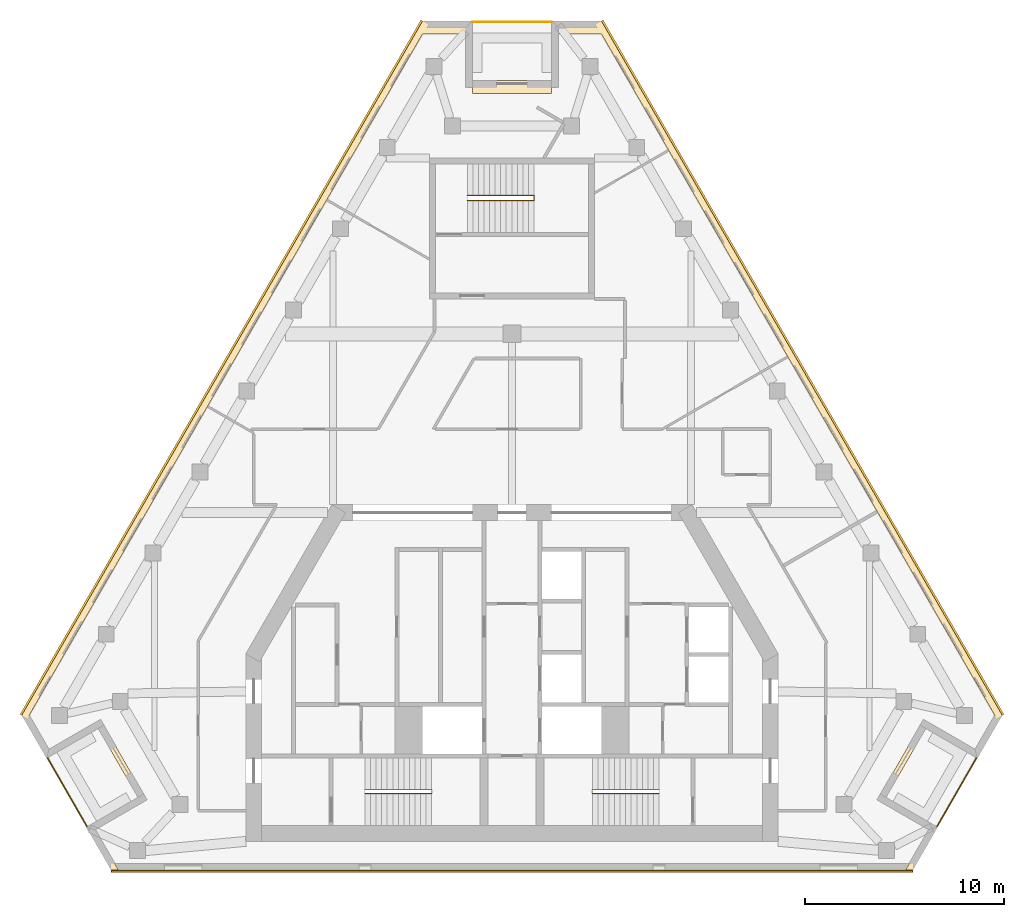
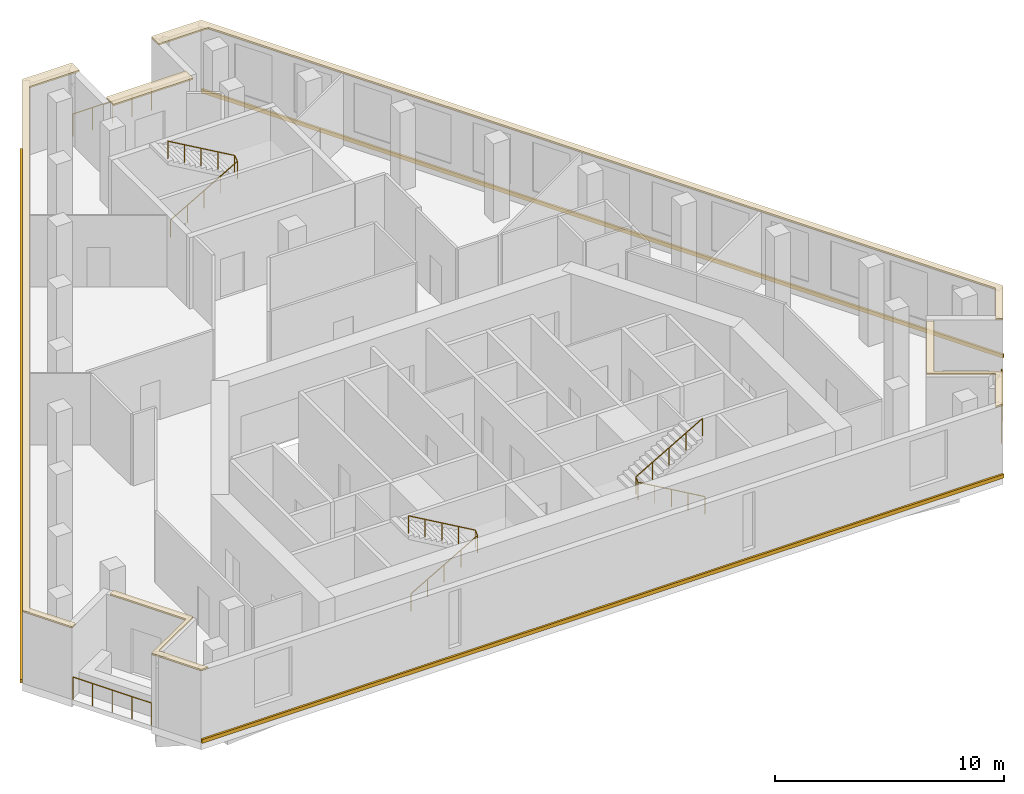
# One storey, part 8 of 8: 8 coverings, 6 railings.
"""IFC4 building model written with IfcOpenShell, lengths in metres."""

import ifcopenshell
import ifcopenshell.guid

model = None  # the IFC model being written
_history = None  # IfcOwnerHistory: only IFC2X3 demands one
_inside = {}  # id of a spatial element -> (the spatial element, [elements in it])
_under = {}  # id of a project, library or spatial element -> (it, [spatial elements below it])
_declared = {}  # id of a project -> (the project, [libraries it declares])
_typed = {}  # id of a type object -> (the type object, [elements of that type])
_made_of = {}  # id of a material, layer set ... -> (it, [elements and type objects made of it])


def new_model(schema):
    """Start an empty IFC model of exactly this schema.

    Asked for "IFC4X3", IfcOpenShell would pick the latest addendum, in which some entities
    have other attributes; the version numbers below select the first issue.
    IFC2X3 requires an IfcOwnerHistory on every rooted entity: one is made here for all.
    """
    global model, _history
    if schema == "IFC4X3":
        model = ifcopenshell.file(schema_version=(4, 3, 0, 0))
    else:
        model = ifcopenshell.file(schema=schema)
    _inside.clear()
    _under.clear()
    _declared.clear()
    _typed.clear()
    _made_of.clear()
    _history = None
    if model.schema == "IFC2X3":
        org = make("IfcOrganization", Name="unknown")
        user = make(
            "IfcPersonAndOrganization",
            ThePerson=make("IfcPerson", FamilyName="unknown"),
            TheOrganization=org,
        )
        app = make(
            "IfcApplication",
            ApplicationDeveloper=org,
            Version="unknown",
            ApplicationFullName="unknown",
            ApplicationIdentifier="unknown",
        )
        _history = make(
            "IfcOwnerHistory",
            OwningUser=user,
            OwningApplication=app,
            ChangeAction="ADDED",
            CreationDate=0,
        )
    return model


def make(cls, **values):
    """One entity of the class cls with the attributes given. An attribute that is None is left unset."""
    return model.create_entity(
        cls, **{name: value for name, value in values.items() if value is not None}
    )


def rooted(cls, **values):
    """An entity with a GlobalId (a new one), such as an element, a storey or a relation."""
    return make(cls, GlobalId=ifcopenshell.guid.new(), OwnerHistory=_history, **values)


def si_unit(unit_type, name, prefix=None):
    """IfcSIUnit, for example si_unit("LENGTHUNIT", "METRE", prefix="MILLI")."""
    return make("IfcSIUnit", UnitType=unit_type, Prefix=prefix, Name=name)


def assignment(units):
    """IfcUnitAssignment: the units of a project."""
    return None if units is None else make("IfcUnitAssignment", Units=units)


def point(xyz):
    """IfcCartesianPoint."""
    return None if xyz is None else make("IfcCartesianPoint", Coordinates=xyz)


def direction(xyz):
    """IfcDirection."""
    return None if xyz is None else make("IfcDirection", DirectionRatios=xyz)


def frame(location, z_axis=None, x_axis=None):
    """IfcAxis2Placement3D, a coordinate frame: its origin and axes. An axis left out is left unset."""
    return make(
        "IfcAxis2Placement3D",
        Location=point(location),
        Axis=direction(z_axis),
        RefDirection=direction(x_axis),
    )


def frame_2d(location, x_axis=None):
    """IfcAxis2Placement2D, a coordinate frame in the plane: its origin and x axis."""
    return make(
        "IfcAxis2Placement2D", Location=point(location), RefDirection=direction(x_axis)
    )


def origin():
    """The frame at (0, 0, 0) with its axes left unset."""
    return frame((0.0, 0.0, 0.0))


def origin_2d():
    """The frame at (0, 0) in the plane with its x axis left unset."""
    return frame_2d((0.0, 0.0))


def place(relative_to, where):
    """IfcLocalPlacement: puts the frame where relative to a parent placement (None: the world)."""
    return make(
        "IfcLocalPlacement", PlacementRelTo=relative_to, RelativePlacement=where
    )


def context(
    kind, dimensions, precision=None, world=None, true_north=None, identifier=None
):
    """IfcGeometricRepresentationContext, for example the 3D "Model" context."""
    return make(
        "IfcGeometricRepresentationContext",
        ContextIdentifier=identifier,
        ContextType=kind,
        CoordinateSpaceDimension=dimensions,
        Precision=precision,
        WorldCoordinateSystem=world,
        TrueNorth=true_north,
    )


def subcontext(parent, identifier, kind, view, scale=None):
    """IfcGeometricRepresentationSubContext, for example "Body" below "Model"."""
    return make(
        "IfcGeometricRepresentationSubContext",
        ContextIdentifier=identifier,
        ContextType=kind,
        ParentContext=parent,
        TargetScale=scale,
        TargetView=view,
    )


def project(units=None, contexts=None):
    """IfcProject with its units and contexts."""
    return rooted(
        "IfcProject",
        Name="project",
        RepresentationContexts=contexts,
        UnitsInContext=assignment(units),
    )


def spatial(cls, under=None, at=None, **own):
    """A site, building, storey or space (cls), placed at a placement, below another one or the project."""
    s = rooted(cls, ObjectPlacement=at, **own)
    if under is not None:
        _under.setdefault(under.id(), (under, []))[1].append(s)
    return s


def polyline(points):
    """IfcPolyline through the points."""
    return make("IfcPolyline", Points=[point(p) for p in points])


def profile(cls, at=None, kind="AREA", **sizes):
    """A parametric profile (cls). Its sizes go by their IFC names, for example OverallWidth=200.0."""
    return make(cls, ProfileType=kind, Position=at, **sizes)


def circle(**sizes):
    """IfcCircleProfileDef."""
    return profile("IfcCircleProfileDef", **sizes)


def outline(outer, holes=None, kind="AREA"):
    """IfcArbitraryClosedProfileDef: a profile drawn as a closed curve; with holes, ...WithVoids."""
    if holes is None:
        return make("IfcArbitraryClosedProfileDef", ProfileType=kind, OuterCurve=outer)
    return make(
        "IfcArbitraryProfileDefWithVoids",
        ProfileType=kind,
        OuterCurve=outer,
        InnerCurves=holes,
    )


def extrude(swept, where, along, depth):
    """IfcExtrudedAreaSolid: the profile swept, set in the frame where, extruded along a direction by depth."""
    return make(
        "IfcExtrudedAreaSolid",
        SweptArea=swept,
        Position=where,
        ExtrudedDirection=direction(along),
        Depth=depth,
    )


def shape(context_of_items, identifier, shape_type, items):
    """IfcShapeRepresentation: the items that make up one representation, for example the "Body"."""
    return make(
        "IfcShapeRepresentation",
        ContextOfItems=context_of_items,
        RepresentationIdentifier=identifier,
        RepresentationType=shape_type,
        Items=items,
    )


def material(Name=None, Category=None):
    """IfcMaterial."""
    return make("IfcMaterial", Name=Name, Category=Category)


def layer(
    of_material, thickness, ventilated=None, Name=None, Category=None, Priority=None
):
    """IfcMaterialLayer: one layer of a wall or slab, of a material (None: an air gap)."""
    return make(
        "IfcMaterialLayer",
        Material=of_material,
        LayerThickness=thickness,
        IsVentilated=ventilated,
        Name=Name,
        Category=Category,
        Priority=Priority,
    )


def layer_set(layers, Name=None):
    """IfcMaterialLayerSet."""
    return make("IfcMaterialLayerSet", MaterialLayers=layers, LayerSetName=Name)


def made_of(thing, what):
    """Note that an element or type object is made of a material, layer set ...; save() writes the relation."""
    if what is not None:
        _made_of.setdefault(what.id(), (what, []))[1].append(thing)
    return thing


def type_object(cls, material=None, **own):
    """A type object (cls), such as IfcWallType, which elements share."""
    return made_of(rooted(cls, **own), material)


def element(
    cls,
    number,
    at=None,
    inside=None,
    cuts=None,
    type_object=None,
    material=None,
    context=None,
    identifier="Body",
    shape_type=None,
    held_by="IfcProductDefinitionShape",
    body=None,
    shapes=None,
    **own,
):
    """One element of the class cls, such as IfcWall. Its Tag is "e" and its number.

    at: its placement. inside: the storey or other place that contains it. cuts: it is an
    opening in that element (IfcRelVoidsElement). A single representation is given by context,
    identifier, shape_type and body (its items); several are given by shapes. held_by: the class
    of the entity that holds the representations. save() writes the other relations.
    """
    e = rooted(cls, Tag="e%d" % number, ObjectPlacement=at, **own)
    if body is not None:
        shapes = [shape(context, identifier, shape_type, body)]
    if shapes is not None:
        e.Representation = make(held_by, Representations=shapes)
    if inside is not None:
        _inside.setdefault(inside.id(), (inside, []))[1].append(e)
    if cuts is not None:
        rooted(
            "IfcRelVoidsElement", RelatingBuildingElement=cuts, RelatedOpeningElement=e
        )
    if type_object is not None:
        _typed.setdefault(type_object.id(), (type_object, []))[1].append(e)
    return made_of(e, material)


def aggregate(whole, parts):
    """IfcRelAggregates: a whole, such as a stair, and the parts it consists of."""
    return rooted("IfcRelAggregates", RelatingObject=whole, RelatedObjects=parts)


def save(model, path):
    """Write the relations noted so far, then the file.

    IfcRelAggregates (storeys below a building ...), IfcRelContainedInSpatialStructure (elements
    in a storey), IfcRelDefinesByType, IfcRelAssociatesMaterial and IfcRelDeclares: one each for
    every whole, place, type object, material and project.
    """
    for whole, parts in _under.values():
        aggregate(whole, parts)
    for where, things in _inside.values():
        rooted(
            "IfcRelContainedInSpatialStructure",
            RelatedElements=things,
            RelatingStructure=where,
        )
    for kind, things in _typed.values():
        rooted("IfcRelDefinesByType", RelatedObjects=things, RelatingType=kind)
    for what, things in _made_of.values():
        rooted("IfcRelAssociatesMaterial", RelatedObjects=things, RelatingMaterial=what)
    for by, libraries in _declared.values():
        rooted("IfcRelDeclares", RelatingContext=by, RelatedDefinitions=libraries)
    model.write(path)


model = new_model("IFC4")

# Units and contexts
model_context = context("Model", 3, precision=1e-05, world=origin(), true_north=direction((0.0, 1.0)))
body_context = subcontext(model_context, "Body", "Model", "MODEL_VIEW")
ifc_project = project(units=[si_unit("LENGTHUNIT", "METRE"), si_unit("AREAUNIT", "SQUARE_METRE"), si_unit("VOLUMEUNIT", "CUBIC_METRE"), si_unit("PLANEANGLEUNIT", "RADIAN"), si_unit("MASSUNIT", "GRAM", prefix="KILO")], contexts=[model_context])

# Site, building, storey
site_placement = place(None, origin())
site = spatial("IfcSite", under=ifc_project, at=site_placement, CompositionType="ELEMENT")
building_placement = place(site_placement, origin())
building = spatial("IfcBuilding", under=site, at=building_placement, Name="Fogline Exchange Tower", CompositionType="ELEMENT")
storey_placement = place(building_placement, frame((0.0, 0.0, 318.300048828125)))
storey = spatial("IfcBuildingStorey", under=building, at=storey_placement, Name="L72", CompositionType="ELEMENT", Elevation=318.300048828125)

# Coverings
ifc_material_1 = material(Name="Granite", Category="masonry")
ifc_layer = layer(ifc_material_1, 0.080078125)
ifc_layer_set = layer_set([ifc_layer], Name="CP1")
covering_type_1 = type_object("IfcCoveringType", Name="CP1", PredefinedType="USERDEFINED", material=ifc_layer_set)
covering_1_placement = place(storey_placement, frame((0.0, 0.0, 3.800048828125)))
element("IfcCovering", 1, at=covering_1_placement, inside=storey, type_object=covering_type_1, Name="Ledge coping L72", ObjectType="COPING", PredefinedType="USERDEFINED", context=body_context, shape_type="SweptSolid", body=[
    extrude(outline(polyline([(-23.4296875, 5.629150390625), (-23.150390625, 5.790283203125), (-24.307373046875, 7.794189453125), (-4.5, 42.101806640625), (-2.0, 42.101806640625), (-2.0, 42.74658203125), (-4.5, 42.74658203125), (-24.6796875, 7.794189453125), (-23.4296875, 5.629150390625)])), origin(), (0.0, 0.0, 1.0), 0.079833984375),
])
covering_2_placement = place(storey_placement, frame((0.0, 0.0, 3.800048828125)))
element("IfcCovering", 2, at=covering_2_placement, inside=storey, type_object=covering_type_1, Name="Ledge coping L72", ObjectType="COPING", PredefinedType="USERDEFINED", context=body_context, shape_type="SweptSolid", body=[
    extrude(outline(polyline([(-20.1796875, 0.0), (-19.807373046875, 0.0), (-21.057373046875, 2.1650390625), (-18.459228515625, 3.6650390625), (-20.459228515625, 7.129150390625), (-20.738525390625, 6.968017578125), (-18.831787109375, 3.6650390625), (-21.4296875, 2.1650390625), (-20.1796875, 0.0)])), origin(), (0.0, 0.0, 1.0), 0.079833984375),
])
covering_3_placement = place(storey_placement, frame((0.0, 0.0, 3.800048828125)))
element("IfcCovering", 3, at=covering_3_placement, inside=storey, type_object=covering_type_1, Name="Ledge coping L72", ObjectType="COPING", PredefinedType="USERDEFINED", context=body_context, shape_type="SweptSolid", body=[
    extrude(outline(polyline([(18.831787109375, 3.6650390625), (20.738525390625, 6.968017578125), (20.459228515625, 7.129150390625), (18.459228515625, 3.6650390625), (21.057373046875, 2.1650390625), (19.807373046875, 0.0), (20.1796875, 0.0), (21.4296875, 2.1650390625), (18.831787109375, 3.6650390625)])), origin(), (0.0, 0.0, 1.0), 0.079833984375),
])
covering_4_placement = place(storey_placement, frame((0.0, 0.0, 3.800048828125)))
element("IfcCovering", 4, at=covering_4_placement, inside=storey, type_object=covering_type_1, Name="Ledge coping L72", ObjectType="COPING", PredefinedType="USERDEFINED", context=body_context, shape_type="SweptSolid", body=[
    extrude(outline(polyline([(2.0, 42.74658203125), (2.0, 42.101806640625), (4.5, 42.101806640625), (24.307373046875, 7.794189453125), (23.150390625, 5.790283203125), (23.4296875, 5.629150390625), (24.6796875, 7.794189453125), (4.5, 42.74658203125), (2.0, 42.74658203125)])), origin(), (0.0, 0.0, 1.0), 0.079833984375),
])
covering_5_placement = place(storey_placement, frame((0.0, 0.0, 3.800048828125)))
element("IfcCovering", 5, at=covering_5_placement, inside=storey, type_object=covering_type_1, Name="Ledge coping L72", ObjectType="COPING", PredefinedType="USERDEFINED", context=body_context, shape_type="SweptSolid", body=[
    extrude(outline(polyline([(2.0, 39.74658203125), (-2.0, 39.74658203125), (-2.0, 39.101806640625), (2.0, 39.101806640625), (2.0, 39.74658203125)])), origin(), (0.0, 0.0, 1.0), 0.079833984375),
])

# Railings
ifc_material_2 = material(Name="Stainless steel 304", Category="steel")
railing_type_1 = type_object("IfcRailingType", Name="G1", PredefinedType="GUARDRAIL", material=ifc_material_2)
railing_1_placement = place(storey_placement, frame((-23.3759765625, 5.635986328125, 0.0)))
element("IfcRailing", 6, at=railing_1_placement, inside=storey, type_object=railing_type_1, Name="Balcony guard L72 SW", PredefinedType="GUARDRAIL", context=body_context, shape_type="SweptSolid", body=[
    extrude(circle(Radius=0.02392578125, at=origin_2d()), frame((0.0, 0.0, 1.17578125), z_axis=(0.500000102728, -0.866025344474, 0.0), x_axis=(0.866025344474, 0.500000102728, 0.0)), (0.0, 0.0, 1.0), 3.9580078125),
    extrude(circle(Radius=0.02099609375, at=origin_2d()), origin(), (0.0, 0.0, 1.0), 1.15185546875),
    extrude(circle(Radius=0.02099609375, at=origin_2d()), frame((0.49462890625, -0.85693359375, 0.0)), (0.0, 0.0, 1.0), 1.15185546875),
    extrude(circle(Radius=0.02099609375, at=origin_2d()), frame((0.989501953125, -1.7138671875, 0.0)), (0.0, 0.0, 1.0), 1.15185546875),
    extrude(circle(Radius=0.02099609375, at=origin_2d()), frame((1.484375, -2.57080078125, 0.0)), (0.0, 0.0, 1.0), 1.15185546875),
    extrude(circle(Radius=0.02099609375, at=origin_2d()), frame((1.97900390625, -3.427734375, 0.0)), (0.0, 0.0, 1.0), 1.15185546875),
])
railing_2_placement = place(storey_placement, frame((21.39697265625, 2.208251953125, 0.0)))
element("IfcRailing", 7, at=railing_2_placement, inside=storey, type_object=railing_type_1, Name="Balcony guard L72 SE", PredefinedType="GUARDRAIL", context=body_context, shape_type="SweptSolid", body=[
    extrude(circle(Radius=0.02392578125, at=origin_2d()), frame((0.0, 0.0, 1.17578125), z_axis=(0.500000102728, 0.866025344474, 0.0), x_axis=(-0.866025344474, 0.500000102728, 0.0)), (0.0, 0.0, 1.0), 3.9580078125),
    extrude(circle(Radius=0.02099609375, at=origin_2d()), origin(), (0.0, 0.0, 1.0), 1.15185546875),
    extrude(circle(Radius=0.02099609375, at=origin_2d()), frame((0.49462890625, 0.85693359375, 0.0)), (0.0, 0.0, 1.0), 1.15185546875),
    extrude(circle(Radius=0.02099609375, at=origin_2d()), frame((0.989501953125, 1.7138671875, 0.0)), (0.0, 0.0, 1.0), 1.15185546875),
    extrude(circle(Radius=0.02099609375, at=origin_2d()), frame((1.484375, 2.57080078125, 0.0)), (0.0, 0.0, 1.0), 1.15185546875),
    extrude(circle(Radius=0.02099609375, at=origin_2d()), frame((1.97900390625, 3.427734375, 0.0)), (0.0, 0.0, 1.0), 1.15185546875),
])
railing_3_placement = place(storey_placement, frame((1.97900390625, 42.69677734375, 0.0)))
element("IfcRailing", 8, at=railing_3_placement, inside=storey, type_object=railing_type_1, Name="Balcony guard L72 N", PredefinedType="GUARDRAIL", context=body_context, shape_type="SweptSolid", body=[
    extrude(circle(Radius=0.02392578125, at=origin_2d()), frame((0.0, 0.0, 1.17578125), z_axis=(-1.0, 0.0, 0.0), x_axis=(0.0, -1.0, 0.0)), (0.0, 0.0, 1.0), 3.9580078125),
    extrude(circle(Radius=0.02099609375, at=origin_2d()), origin(), (0.0, 0.0, 1.0), 1.15185546875),
    extrude(circle(Radius=0.02099609375, at=origin_2d()), frame((-0.989501953125, 0.0, 0.0)), (0.0, 0.0, 1.0), 1.15185546875),
    extrude(circle(Radius=0.02099609375, at=origin_2d()), frame((-1.97900390625, 0.0, 0.0)), (0.0, 0.0, 1.0), 1.15185546875),
    extrude(circle(Radius=0.02099609375, at=origin_2d()), frame((-2.968505859375, 0.0, 0.0)), (0.0, 0.0, 1.0), 1.15185546875),
    extrude(circle(Radius=0.02099609375, at=origin_2d()), frame((-3.9580078125, 0.0, 0.0)), (0.0, 0.0, 1.0), 1.15185546875),
])
ifc_material_3 = material(Name="Steel Q235B", Category="steel")
railing_type_2 = type_object("IfcRailingType", Name="RL-HR", PredefinedType="HANDRAIL", material=ifc_material_3)
railing_4_placement = place(storey_placement, frame((-7.39990234375, 3.85009765625, 0.161376953125)))
element("IfcRailing", 9, at=railing_4_placement, inside=storey, type_object=railing_type_2, Name="Handrail ST1", PredefinedType="HANDRAIL", context=body_context, shape_type="SweptSolid", body=[
    extrude(circle(Radius=0.02392578125, at=origin_2d()), frame((0.0, 0.0, 0.92578125), z_axis=(0.866175107563, 0.0, 0.499740615757), x_axis=(0.0, 1.0, 0.0)), (0.0, 0.0, 1.0), 3.87890625),
    extrude(circle(Radius=0.02392578125, at=origin_2d()), frame((3.35986328125, 0.0, 2.8642578125), z_axis=(0.0, 0.777709044463, 0.628624404682), x_axis=(-1.0, 0.0, 0.0)), (0.0, 0.0, 1.0), 0.257080078125),
    extrude(circle(Radius=0.02392578125, at=origin_2d()), frame((3.35986328125, 0.199951171875, 3.02587890625), z_axis=(-0.866175107563, 0.0, 0.499740615757), x_axis=(0.0, -1.0, 0.0)), (0.0, 0.0, 1.0), 3.87890625),
    extrude(circle(Radius=0.02099609375, at=origin_2d()), origin(), (0.0, 0.0, 1.0), 0.90185546875),
    extrude(circle(Radius=0.02099609375, at=origin_2d()), frame((0.83984375, 0.0, 0.484619140625)), (0.0, 0.0, 1.0), 0.90185546875),
    extrude(circle(Radius=0.02099609375, at=origin_2d()), frame((1.679931640625, 0.0, 0.96923828125)), (0.0, 0.0, 1.0), 0.90185546875),
    extrude(circle(Radius=0.02099609375, at=origin_2d()), frame((2.52001953125, 0.0, 1.453857421875)), (0.0, 0.0, 1.0), 0.90185546875),
    extrude(circle(Radius=0.02099609375, at=origin_2d()), frame((3.35986328125, 0.0, 1.9384765625)), (0.0, 0.0, 1.0), 0.90185546875),
    extrude(circle(Radius=0.02099609375, at=origin_2d()), frame((3.35986328125, 0.199951171875, 2.10009765625)), (0.0, 0.0, 1.0), 0.90185546875),
    extrude(circle(Radius=0.02099609375, at=origin_2d()), frame((2.52001953125, 0.199951171875, 2.584716796875)), (0.0, 0.0, 1.0), 0.90185546875),
    extrude(circle(Radius=0.02099609375, at=origin_2d()), frame((1.679931640625, 0.199951171875, 3.0693359375)), (0.0, 0.0, 1.0), 0.90185546875),
    extrude(circle(Radius=0.02099609375, at=origin_2d()), frame((0.83984375, 0.199951171875, 3.553955078125)), (0.0, 0.0, 1.0), 0.90185546875),
    extrude(circle(Radius=0.02099609375, at=origin_2d()), frame((0.0, 0.199951171875, 4.03857421875)), (0.0, 0.0, 1.0), 0.90185546875),
])
railing_5_placement = place(storey_placement, frame((7.39990234375, 3.85009765625, 0.161376953125)))
element("IfcRailing", 10, at=railing_5_placement, inside=storey, type_object=railing_type_2, Name="Handrail ST2", PredefinedType="HANDRAIL", context=body_context, shape_type="SweptSolid", body=[
    extrude(circle(Radius=0.02392578125, at=origin_2d()), frame((0.0, 0.0, 0.92578125), z_axis=(-0.866175107563, 0.0, 0.499740615757), x_axis=(0.0, -1.0, 0.0)), (0.0, 0.0, 1.0), 3.87890625),
    extrude(circle(Radius=0.02392578125, at=origin_2d()), frame((-3.35986328125, 0.0, 2.8642578125), z_axis=(0.0, 0.777709044463, 0.628624404682), x_axis=(-1.0, 0.0, 0.0)), (0.0, 0.0, 1.0), 0.257080078125),
    extrude(circle(Radius=0.02392578125, at=origin_2d()), frame((-3.35986328125, 0.199951171875, 3.02587890625), z_axis=(0.866175107563, 0.0, 0.499740615757), x_axis=(0.0, 1.0, 0.0)), (0.0, 0.0, 1.0), 3.87890625),
    extrude(circle(Radius=0.02099609375, at=origin_2d()), origin(), (0.0, 0.0, 1.0), 0.90185546875),
    extrude(circle(Radius=0.02099609375, at=origin_2d()), frame((-0.83984375, 0.0, 0.484619140625)), (0.0, 0.0, 1.0), 0.90185546875),
    extrude(circle(Radius=0.02099609375, at=origin_2d()), frame((-1.679931640625, 0.0, 0.96923828125)), (0.0, 0.0, 1.0), 0.90185546875),
    extrude(circle(Radius=0.02099609375, at=origin_2d()), frame((-2.52001953125, 0.0, 1.453857421875)), (0.0, 0.0, 1.0), 0.90185546875),
    extrude(circle(Radius=0.02099609375, at=origin_2d()), frame((-3.35986328125, 0.0, 1.9384765625)), (0.0, 0.0, 1.0), 0.90185546875),
    extrude(circle(Radius=0.02099609375, at=origin_2d()), frame((-3.35986328125, 0.199951171875, 2.10009765625)), (0.0, 0.0, 1.0), 0.90185546875),
    extrude(circle(Radius=0.02099609375, at=origin_2d()), frame((-2.52001953125, 0.199951171875, 2.584716796875)), (0.0, 0.0, 1.0), 0.90185546875),
    extrude(circle(Radius=0.02099609375, at=origin_2d()), frame((-1.679931640625, 0.199951171875, 3.0693359375)), (0.0, 0.0, 1.0), 0.90185546875),
    extrude(circle(Radius=0.02099609375, at=origin_2d()), frame((-0.83984375, 0.199951171875, 3.553955078125)), (0.0, 0.0, 1.0), 0.90185546875),
    extrude(circle(Radius=0.02099609375, at=origin_2d()), frame((0.0, 0.199951171875, 4.03857421875)), (0.0, 0.0, 1.0), 0.90185546875),
])
railing_6_placement = place(storey_placement, frame((-2.25, 33.70703125, 0.161376953125)))
element("IfcRailing", 11, at=railing_6_placement, inside=storey, type_object=railing_type_2, Name="Handrail ST3", PredefinedType="HANDRAIL", context=body_context, shape_type="SweptSolid", body=[
    extrude(circle(Radius=0.02392578125, at=origin_2d()), frame((0.0, 0.0, 0.92578125), z_axis=(0.866190824863, 0.0, 0.499713372768), x_axis=(0.0, 1.0, 0.0)), (0.0, 0.0, 1.0), 3.879150390625),
    extrude(circle(Radius=0.02392578125, at=origin_2d()), frame((3.360107421875, 0.0, 2.8642578125), z_axis=(0.0, 0.839790117141, 0.542911189011), x_axis=(-1.0, 0.0, 0.0)), (0.0, 0.0, 1.0), 0.297607421875),
    extrude(circle(Radius=0.02392578125, at=origin_2d()), frame((3.360107421875, 0.25, 3.02587890625), z_axis=(-0.866190824863, 0.0, 0.499713372768), x_axis=(0.0, -1.0, 0.0)), (0.0, 0.0, 1.0), 3.879150390625),
    extrude(circle(Radius=0.02099609375, at=origin_2d()), origin(), (0.0, 0.0, 1.0), 0.90185546875),
    extrude(circle(Radius=0.02099609375, at=origin_2d()), frame((0.840087890625, 0.0, 0.484619140625)), (0.0, 0.0, 1.0), 0.90185546875),
    extrude(circle(Radius=0.02099609375, at=origin_2d()), frame((1.68017578125, 0.0, 0.96923828125)), (0.0, 0.0, 1.0), 0.90185546875),
    extrude(circle(Radius=0.02099609375, at=origin_2d()), frame((2.52001953125, 0.0, 1.453857421875)), (0.0, 0.0, 1.0), 0.90185546875),
    extrude(circle(Radius=0.02099609375, at=origin_2d()), frame((3.360107421875, 0.0, 1.9384765625)), (0.0, 0.0, 1.0), 0.90185546875),
    extrude(circle(Radius=0.02099609375, at=origin_2d()), frame((3.360107421875, 0.25, 2.10009765625)), (0.0, 0.0, 1.0), 0.90185546875),
    extrude(circle(Radius=0.02099609375, at=origin_2d()), frame((2.52001953125, 0.25, 2.584716796875)), (0.0, 0.0, 1.0), 0.90185546875),
    extrude(circle(Radius=0.02099609375, at=origin_2d()), frame((1.68017578125, 0.25, 3.0693359375)), (0.0, 0.0, 1.0), 0.90185546875),
    extrude(circle(Radius=0.02099609375, at=origin_2d()), frame((0.840087890625, 0.25, 3.553955078125)), (0.0, 0.0, 1.0), 0.90185546875),
    extrude(circle(Radius=0.02099609375, at=origin_2d()), frame((0.0, 0.25, 4.03857421875)), (0.0, 0.0, 1.0), 0.90185546875),
])

# Coverings
ifc_material_4 = material(Name="Brick masonry", Category="masonry")
covering_type_2 = type_object("IfcCoveringType", Name="SB1", PredefinedType="CLADDING", material=ifc_material_4)
covering_6_placement = place(storey_placement, origin())
element("IfcCovering", 12, at=covering_6_placement, inside=storey, type_object=covering_type_2, Name="Stringcourse band L72 S", PredefinedType="CLADDING", context=body_context, shape_type="SweptSolid", body=[
    extrude(outline(polyline([(-20.1796875, 0.0), (-20.1796875, -0.10009765625), (20.1796875, -0.10009765625), (20.1796875, 0.0), (-20.1796875, 0.0)])), origin(), (0.0, 0.0, 1.0), 0.199951171875),
])
covering_7_placement = place(storey_placement, origin())
element("IfcCovering", 13, at=covering_7_placement, inside=storey, type_object=covering_type_2, Name="Stringcourse band L72 E", PredefinedType="CLADDING", context=body_context, shape_type="SweptSolid", body=[
    extrude(outline(polyline([(24.6796875, 7.794189453125), (24.766357421875, 7.84423828125), (4.586669921875, 42.796630859375), (4.5, 42.74658203125), (24.6796875, 7.794189453125)])), origin(), (0.0, 0.0, 1.0), 0.199951171875),
])
covering_8_placement = place(storey_placement, origin())
element("IfcCovering", 14, at=covering_8_placement, inside=storey, type_object=covering_type_2, Name="Stringcourse band L72 W", PredefinedType="CLADDING", context=body_context, shape_type="SweptSolid", body=[
    extrude(outline(polyline([(-4.5, 42.74658203125), (-4.586669921875, 42.796630859375), (-24.766357421875, 7.84423828125), (-24.6796875, 7.794189453125), (-4.5, 42.74658203125)])), origin(), (0.0, 0.0, 1.0), 0.199951171875),
])

save(model, "model.ifc")
